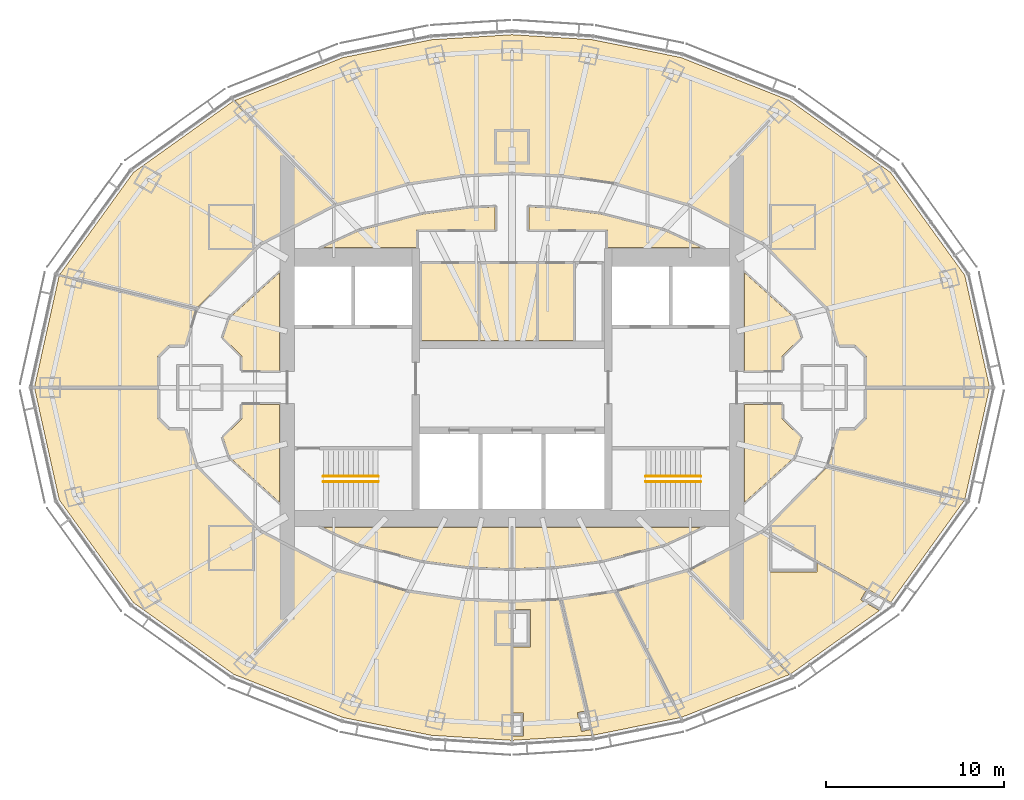
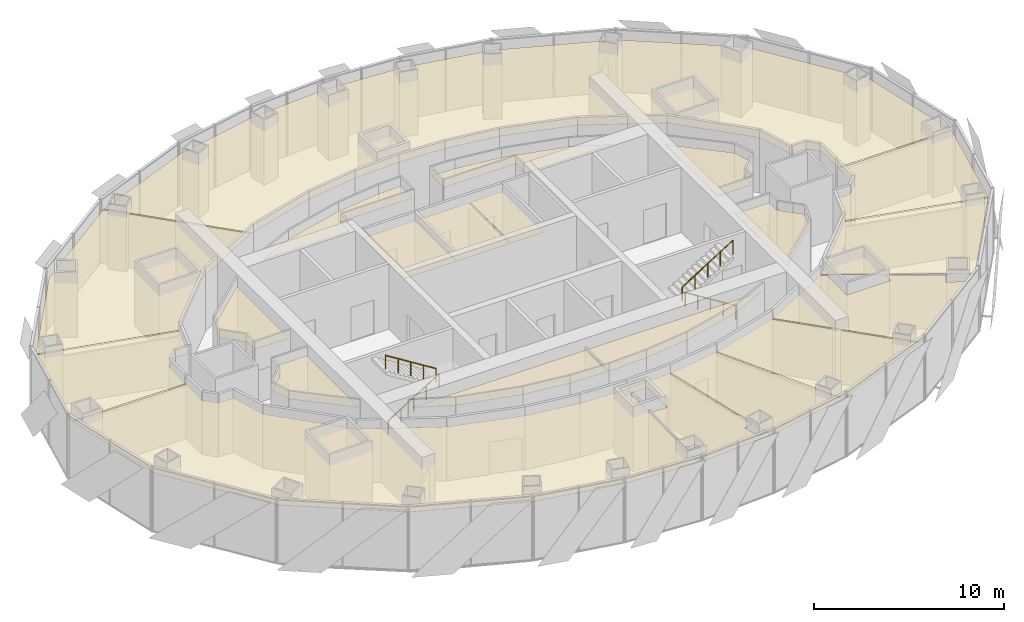
# One storey, part 17 of 17: 21 coverings, 4 railings.
"""IFC4 building model written with IfcOpenShell, lengths in metres."""

from ifc_helpers import new_model, si_unit, direction, frame, origin, origin_2d, place, context, subcontext, project, spatial, polyline, circle, outline, extrude, material, layer, layer_set, type_object, element, save


model = new_model("IFC4")

# Units and contexts
model_context = context("Model", 3, precision=1e-05, world=origin(), true_north=direction((0.0, 1.0)))
body_context = subcontext(model_context, "Body", "Model", "MODEL_VIEW")
ifc_project = project(units=[si_unit("LENGTHUNIT", "METRE"), si_unit("AREAUNIT", "SQUARE_METRE"), si_unit("VOLUMEUNIT", "CUBIC_METRE"), si_unit("PLANEANGLEUNIT", "RADIAN"), si_unit("MASSUNIT", "GRAM", prefix="KILO")], contexts=[model_context])

# Site, building, storey
site_placement = place(None, origin())
site = spatial("IfcSite", under=ifc_project, at=site_placement, CompositionType="ELEMENT")
building_placement = place(site_placement, origin())
building = spatial("IfcBuilding", under=site, at=building_placement, Name="Lantaw Convention Tower", CompositionType="ELEMENT")
storey_placement = place(building_placement, frame((0.0, 0.0, 224.199951171875)))
storey = spatial("IfcBuildingStorey", under=building, at=storey_placement, Name="L52", CompositionType="ELEMENT", Elevation=224.199951171875)

# Railings
ifc_material_1 = material(Name="Stainless steel", Category="steel")
railing_type = type_object("IfcRailingType", Name="Stair handrail", PredefinedType="HANDRAIL", material=ifc_material_1)
railing_1_placement = place(storey_placement, frame((-10.580078125, -5.280029296875, 0.175048828125)))
element("IfcRailing", 1, at=railing_1_placement, inside=storey, type_object=railing_type, Name="Stair handrail S1", PredefinedType="HANDRAIL", context=body_context, shape_type="SweptSolid", body=[
    extrude(circle(Radius=0.02392578125, at=origin_2d()), frame((0.0, 0.0, 0.8759765625), z_axis=(0.847998304005, 0.0, 0.529998940003), x_axis=(0.0, 1.0, 0.0)), (0.0, 0.0, 1.0), 3.632080078125),
    extrude(circle(Radius=0.02099609375, at=origin_2d()), origin(), (0.0, 0.0, 1.0), 0.851806640625),
    extrude(circle(Radius=0.02099609375, at=origin_2d()), frame((0.77001953125, 0.0, 0.481201171875)), (0.0, 0.0, 1.0), 0.851806640625),
    extrude(circle(Radius=0.02099609375, at=origin_2d()), frame((1.5400390625, 0.0, 0.96240234375)), (0.0, 0.0, 1.0), 0.851806640625),
    extrude(circle(Radius=0.02099609375, at=origin_2d()), frame((2.31005859375, 0.0, 1.44384765625)), (0.0, 0.0, 1.0), 0.851806640625),
    extrude(circle(Radius=0.02099609375, at=origin_2d()), frame((3.080078125, 0.0, 1.925048828125)), (0.0, 0.0, 1.0), 0.851806640625),
])
railing_2_placement = place(storey_placement, frame((-7.5, -4.97998046875, 2.275146484375)))
element("IfcRailing", 2, at=railing_2_placement, inside=storey, type_object=railing_type, Name="Stair handrail S1", PredefinedType="HANDRAIL", context=body_context, shape_type="SweptSolid", body=[
    extrude(circle(Radius=0.02392578125, at=origin_2d()), frame((0.0, 0.0, 0.8759765625), z_axis=(-0.848028513186, 0.0, 0.529950602248), x_axis=(0.0, -1.0, 0.0)), (0.0, 0.0, 1.0), 3.632080078125),
    extrude(circle(Radius=0.02099609375, at=origin_2d()), origin(), (0.0, 0.0, 1.0), 0.851806640625),
    extrude(circle(Radius=0.02099609375, at=origin_2d()), frame((-0.77001953125, 0.0, 0.481201171875)), (0.0, 0.0, 1.0), 0.851806640625),
    extrude(circle(Radius=0.02099609375, at=origin_2d()), frame((-1.5400390625, 0.0, 0.96240234375)), (0.0, 0.0, 1.0), 0.851806640625),
    extrude(circle(Radius=0.02099609375, at=origin_2d()), frame((-2.31005859375, 0.0, 1.443603515625)), (0.0, 0.0, 1.0), 0.851806640625),
    extrude(circle(Radius=0.02099609375, at=origin_2d()), frame((-3.080078125, 0.0, 1.9248046875)), (0.0, 0.0, 1.0), 0.851806640625),
])
railing_3_placement = place(storey_placement, frame((10.580078125, -5.280029296875, 0.175048828125)))
element("IfcRailing", 3, at=railing_3_placement, inside=storey, type_object=railing_type, Name="Stair handrail S2", PredefinedType="HANDRAIL", context=body_context, shape_type="SweptSolid", body=[
    extrude(circle(Radius=0.02392578125, at=origin_2d()), frame((0.0, 0.0, 0.8759765625), z_axis=(-0.847998304005, 0.0, 0.529998940003), x_axis=(0.0, -1.0, 0.0)), (0.0, 0.0, 1.0), 3.632080078125),
    extrude(circle(Radius=0.02099609375, at=origin_2d()), origin(), (0.0, 0.0, 1.0), 0.851806640625),
    extrude(circle(Radius=0.02099609375, at=origin_2d()), frame((-0.77001953125, 0.0, 0.481201171875)), (0.0, 0.0, 1.0), 0.851806640625),
    extrude(circle(Radius=0.02099609375, at=origin_2d()), frame((-1.5400390625, 0.0, 0.96240234375)), (0.0, 0.0, 1.0), 0.851806640625),
    extrude(circle(Radius=0.02099609375, at=origin_2d()), frame((-2.31005859375, 0.0, 1.44384765625)), (0.0, 0.0, 1.0), 0.851806640625),
    extrude(circle(Radius=0.02099609375, at=origin_2d()), frame((-3.080078125, 0.0, 1.925048828125)), (0.0, 0.0, 1.0), 0.851806640625),
])
railing_4_placement = place(storey_placement, frame((7.5, -4.97998046875, 2.275146484375)))
element("IfcRailing", 4, at=railing_4_placement, inside=storey, type_object=railing_type, Name="Stair handrail S2", PredefinedType="HANDRAIL", context=body_context, shape_type="SweptSolid", body=[
    extrude(circle(Radius=0.02392578125, at=origin_2d()), frame((0.0, 0.0, 0.8759765625), z_axis=(0.848028513186, 0.0, 0.529950602248), x_axis=(0.0, 1.0, 0.0)), (0.0, 0.0, 1.0), 3.632080078125),
    extrude(circle(Radius=0.02099609375, at=origin_2d()), origin(), (0.0, 0.0, 1.0), 0.851806640625),
    extrude(circle(Radius=0.02099609375, at=origin_2d()), frame((0.77001953125, 0.0, 0.481201171875)), (0.0, 0.0, 1.0), 0.851806640625),
    extrude(circle(Radius=0.02099609375, at=origin_2d()), frame((1.5400390625, 0.0, 0.96240234375)), (0.0, 0.0, 1.0), 0.851806640625),
    extrude(circle(Radius=0.02099609375, at=origin_2d()), frame((2.31005859375, 0.0, 1.443603515625)), (0.0, 0.0, 1.0), 0.851806640625),
    extrude(circle(Radius=0.02099609375, at=origin_2d()), frame((3.080078125, 0.0, 1.9248046875)), (0.0, 0.0, 1.0), 0.851806640625),
])

# Coverings
ifc_material_2 = material(Name="Gypsum board on steel suspension grid", Category="steel")
ifc_layer = layer(ifc_material_2, 0.02001953125)
ifc_layer_set = layer_set([ifc_layer], Name="Suspended ceiling")
covering_type = type_object("IfcCoveringType", Name="Suspended ceiling", PredefinedType="CEILING", material=ifc_layer_set)
covering_1_placement = place(storey_placement, frame((0.0, 0.0, 3.449951171875)))
element("IfcCovering", 5, at=covering_1_placement, inside=storey, type_object=covering_type, Name="Female WC ceiling", PredefinedType="CEILING", context=body_context, shape_type="SweptSolid", body=[
    extrude(outline(polyline([(-5.080078125, 2.639892578125), (-1.88330078125, 2.639892578125), (-1.88330078125, 6.9599609375), (-5.080078125, 6.9599609375), (-5.080078125, 2.639892578125)])), origin(), (0.0, 0.0, 1.0), 0.02001953125),
])
covering_2_placement = place(storey_placement, frame((0.0, 0.0, 3.449951171875)))
element("IfcCovering", 6, at=covering_2_placement, inside=storey, type_object=covering_type, Name="Male WC ceiling", PredefinedType="CEILING", context=body_context, shape_type="SweptSolid", body=[
    extrude(outline(polyline([(-1.80322265625, 2.639892578125), (1.3935546875, 2.639892578125), (1.3935546875, 6.9599609375), (-1.80322265625, 6.9599609375), (-1.80322265625, 2.639892578125)])), origin(), (0.0, 0.0, 1.0), 0.02001953125),
])
covering_3_placement = place(storey_placement, frame((0.0, 0.0, 3.449951171875)))
element("IfcCovering", 7, at=covering_3_placement, inside=storey, type_object=covering_type, Name="Accessible WC ceiling", PredefinedType="CEILING", context=body_context, shape_type="SweptSolid", body=[
    extrude(outline(polyline([(1.4736328125, 2.639892578125), (3.441650390625, 2.639892578125), (3.441650390625, 6.9599609375), (1.4736328125, 6.9599609375), (1.4736328125, 2.639892578125)])), origin(), (0.0, 0.0, 1.0), 0.02001953125),
])
covering_4_placement = place(storey_placement, frame((0.0, 0.0, 3.449951171875)))
element("IfcCovering", 8, at=covering_4_placement, inside=storey, type_object=covering_type, Name="Meeting room ceiling", PredefinedType="CEILING", context=body_context, shape_type="SweptSolid", body=[
    extrude(outline(polyline([(-16.20556640625, -2.80029296875), (-15.821044921875, -3.930419921875), (-13.0400390625, -6.4345703125), (-13.0400390625, -0.93994140625), (-15.135009765625, -0.93994140625), (-15.135009765625, -1.7412109375), (-15.7587890625, -2.364990234375), (-15.77099609375, -2.364990234375), (-16.20556640625, -2.80029296875)])), origin(), (0.0, 0.0, 1.0), 0.02001953125),
])
covering_5_placement = place(storey_placement, frame((0.0, 0.0, 3.449951171875)))
element("IfcCovering", 9, at=covering_5_placement, inside=storey, type_object=covering_type, Name="Project room ceiling", PredefinedType="CEILING", context=body_context, shape_type="SweptSolid", body=[
    extrude(outline(polyline([(-2.32958984375, -10.06591796875), (-0.0400390625, -10.158447265625), (-0.0400390625, -7.840087890625), (-10.640380859375, -7.840087890625), (-8.5341796875, -8.8134765625), (-4.967529296875, -9.724609375), (-2.32958984375, -10.06591796875)])), origin(), (0.0, 0.0, 1.0), 0.02001953125),
])
covering_6_placement = place(storey_placement, frame((0.0, 0.0, 3.449951171875)))
element("IfcCovering", 10, at=covering_6_placement, inside=storey, type_object=covering_type, Name="Tenant storage room ceiling", PredefinedType="CEILING", context=body_context, shape_type="SweptSolid", body=[
    extrude(outline(polyline([(8.5341796875, -8.8134765625), (10.640380859375, -7.840087890625), (0.0400390625, -7.840087890625), (0.0400390625, -10.158447265625), (2.32958984375, -10.06591796875), (4.967529296875, -9.724609375), (8.5341796875, -8.8134765625)])), origin(), (0.0, 0.0, 1.0), 0.02001953125),
])
covering_7_placement = place(storey_placement, frame((0.0, 0.0, 3.449951171875)))
element("IfcCovering", 11, at=covering_7_placement, inside=storey, type_object=covering_type, Name="Meeting room ceiling", PredefinedType="CEILING", context=body_context, shape_type="SweptSolid", body=[
    extrude(outline(polyline([(15.135009765625, -1.7412109375), (15.135009765625, -0.93994140625), (13.0400390625, -0.93994140625), (13.0400390625, -6.4345703125), (15.821044921875, -3.930419921875), (16.20556640625, -2.80029296875), (15.77099609375, -2.364990234375), (15.7587890625, -2.364990234375), (15.135009765625, -1.7412109375)])), origin(), (0.0, 0.0, 1.0), 0.02001953125),
])
covering_8_placement = place(storey_placement, frame((0.0, 0.0, 3.449951171875)))
element("IfcCovering", 12, at=covering_8_placement, inside=storey, type_object=covering_type, Name="Copy and print room ceiling", PredefinedType="CEILING", context=body_context, shape_type="SweptSolid", body=[
    extrude(outline(polyline([(15.77099609375, 2.364990234375), (16.20556640625, 2.80029296875), (15.821044921875, 3.930419921875), (13.0400390625, 6.4345703125), (13.0400390625, 0.93994140625), (15.135009765625, 0.93994140625), (15.135009765625, 1.7412109375), (15.7587890625, 2.364990234375), (15.77099609375, 2.364990234375)])), origin(), (0.0, 0.0, 1.0), 0.02001953125),
])
covering_9_placement = place(storey_placement, frame((0.0, 0.0, 3.449951171875)))
element("IfcCovering", 13, at=covering_9_placement, inside=storey, type_object=covering_type, Name="Project room ceiling", PredefinedType="CEILING", context=body_context, shape_type="SweptSolid", body=[
    extrude(outline(polyline([(5.360107421875, 7.840087890625), (10.640380859375, 7.840087890625), (8.5341796875, 8.8134765625), (4.967529296875, 9.724609375), (2.32958984375, 10.06591796875), (0.93994140625, 10.1220703125), (0.93994140625, 8.840087890625), (5.360107421875, 8.840087890625), (5.360107421875, 7.840087890625)])), origin(), (0.0, 0.0, 1.0), 0.02001953125),
])
covering_10_placement = place(storey_placement, frame((0.0, 0.0, 3.449951171875)))
element("IfcCovering", 14, at=covering_10_placement, inside=storey, type_object=covering_type, Name="Meeting room ceiling", PredefinedType="CEILING", context=body_context, shape_type="SweptSolid", body=[
    extrude(outline(polyline([(-10.640380859375, 7.840087890625), (-5.360107421875, 7.840087890625), (-5.360107421875, 8.840087890625), (-0.93994140625, 8.840087890625), (-0.93994140625, 10.1220703125), (-2.32958984375, 10.06591796875), (-4.967529296875, 9.724609375), (-8.5341796875, 8.8134765625), (-10.640380859375, 7.840087890625)])), origin(), (0.0, 0.0, 1.0), 0.02001953125),
])
covering_11_placement = place(storey_placement, frame((0.0, 0.0, 3.449951171875)))
element("IfcCovering", 15, at=covering_11_placement, inside=storey, type_object=covering_type, Name="Comms room ceiling", PredefinedType="CEILING", context=body_context, shape_type="SweptSolid", body=[
    extrude(outline(polyline([(-15.77099609375, 2.364990234375), (-15.7587890625, 2.364990234375), (-15.135009765625, 1.7412109375), (-15.135009765625, 0.93994140625), (-13.0400390625, 0.93994140625), (-13.0400390625, 6.4345703125), (-15.821044921875, 3.930419921875), (-16.20556640625, 2.80029296875), (-15.77099609375, 2.364990234375)])), origin(), (0.0, 0.0, 1.0), 0.02001953125),
])
covering_12_placement = place(storey_placement, frame((0.0, 0.0, 3.449951171875)))
element("IfcCovering", 16, at=covering_12_placement, inside=storey, type_object=covering_type, Name="Open office ceiling", PredefinedType="CEILING", context=body_context, shape_type="SweptSolid", body=[
    extrude(outline(polyline([(17.708251953125, 4.42724609375), (18.329345703125, 2.364990234375), (19.2412109375, 2.364990234375), (19.864990234375, 1.7412109375), (19.864990234375, 0.0400390625), (26.77099609375, 0.0400390625), (25.388916015625, 6.290283203125), (21.224365234375, 12.061767578125), (15.60498046875, 16.076416015625), (9.472900390625, 18.504638671875), (4.523193359375, 19.500244140625), (0.0, 19.78466796875), (-4.523193359375, 19.500244140625), (-9.472900390625, 18.504638671875), (-15.5537109375, 16.0966796875), (-9.88134765625, 10.2900390625), (-5.828857421875, 11.462158203125), (-2.745361328125, 11.914306640625), (0.0, 12.0400390625), (2.745361328125, 11.914306640625), (5.828857421875, 11.462158203125), (9.908203125, 10.2822265625), (14.11328125, 8.08349609375), (17.708251953125, 4.42724609375)])), origin(), (0.0, 0.0, 1.0), 0.02001953125),
])
covering_13_placement = place(storey_placement, frame((0.0, 0.0, 3.449951171875)))
element("IfcCovering", 17, at=covering_13_placement, inside=storey, type_object=covering_type, Name="Boardroom ceiling", PredefinedType="CEILING", context=body_context, shape_type="SweptSolid", body=[
    extrude(outline(polyline([(-9.95947265625, 10.25537109375), (-15.62890625, 16.059326171875), (-21.224365234375, 12.061767578125), (-25.359130859375, 6.331787109375), (-17.685302734375, 4.45068359375), (-14.11328125, 8.08349609375), (-9.95947265625, 10.25537109375)])), origin(), (0.0, 0.0, 1.0), 0.02001953125),
])
covering_14_placement = place(storey_placement, frame((0.0, 0.0, 3.449951171875)))
element("IfcCovering", 18, at=covering_14_placement, inside=storey, type_object=covering_type, Name="Pantry ceiling", PredefinedType="CEILING", context=body_context, shape_type="SweptSolid", body=[
    extrude(outline(polyline([(-18.329345703125, 2.364990234375), (-17.72314453125, 4.37744140625), (-25.39599609375, 6.258544921875), (-26.77099609375, 0.0400390625), (-19.864990234375, 0.0400390625), (-19.864990234375, 1.7412109375), (-19.2412109375, 2.364990234375), (-18.329345703125, 2.364990234375)])), origin(), (0.0, 0.0, 1.0), 0.02001953125),
])
covering_15_placement = place(storey_placement, frame((0.0, 0.0, 3.449951171875)))
element("IfcCovering", 19, at=covering_15_placement, inside=storey, type_object=covering_type, Name="Open office ceiling", PredefinedType="CEILING", context=body_context, shape_type="SweptSolid", body=[
    extrude(outline(polyline([(-17.708251953125, -4.42724609375), (-18.329345703125, -2.364990234375), (-19.2412109375, -2.364990234375), (-19.864990234375, -1.7412109375), (-19.864990234375, -0.0400390625), (-26.77099609375, -0.0400390625), (-25.388916015625, -6.290283203125), (-21.224365234375, -12.061767578125), (-15.60498046875, -16.076416015625), (-9.472900390625, -18.504638671875), (-4.523193359375, -19.500244140625), (-0.0400390625, -19.781982421875), (-0.0400390625, -12.038330078125), (-2.745361328125, -11.914306640625), (-5.828857421875, -11.462158203125), (-9.908203125, -10.2822265625), (-14.11328125, -8.08349609375), (-17.708251953125, -4.42724609375)])), origin(), (0.0, 0.0, 1.0), 0.02001953125),
])
covering_16_placement = place(storey_placement, frame((0.0, 0.0, 3.449951171875)))
element("IfcCovering", 20, at=covering_16_placement, inside=storey, type_object=covering_type, Name="Meeting room ceiling", PredefinedType="CEILING", context=body_context, shape_type="SweptSolid", body=[
    extrude(outline(polyline([(2.7099609375, -11.916015625), (0.0400390625, -12.038330078125), (0.0400390625, -12.4599609375), (1.0400390625, -12.4599609375), (1.0400390625, -14.5400390625), (0.0400390625, -14.5400390625), (0.0400390625, -18.260009765625), (0.639892578125, -18.260009765625), (0.639892578125, -19.5400390625), (0.0400390625, -19.5400390625), (0.0400390625, -19.781982421875), (4.478759765625, -19.5029296875), (4.40185546875, -19.173583984375), (3.899169921875, -19.28955078125), (3.65625, -18.2373046875), (4.15673828125, -18.121826171875), (2.7099609375, -11.916015625)])), origin(), (0.0, 0.0, 1.0), 0.02001953125),
])
covering_17_placement = place(storey_placement, frame((0.0, 0.0, 3.449951171875)))
element("IfcCovering", 21, at=covering_17_placement, inside=storey, type_object=covering_type, Name="Meeting room ceiling", PredefinedType="CEILING", context=body_context, shape_type="SweptSolid", body=[
    extrude(outline(polyline([(2.790283203125, -11.90771484375), (4.55859375, -19.492919921875), (9.42431640625, -18.514404296875), (5.7978515625, -11.466796875), (2.790283203125, -11.90771484375)])), origin(), (0.0, 0.0, 1.0), 0.02001953125),
])
covering_18_placement = place(storey_placement, frame((0.0, 0.0, 3.449951171875)))
element("IfcCovering", 22, at=covering_18_placement, inside=storey, type_object=covering_type, Name="Quiet room ceiling", PredefinedType="CEILING", context=body_context, shape_type="SweptSolid", body=[
    extrude(outline(polyline([(5.878173828125, -11.447998046875), (9.503173828125, -18.49267578125), (15.5537109375, -16.0966796875), (9.88134765625, -10.2900390625), (5.878173828125, -11.447998046875)])), origin(), (0.0, 0.0, 1.0), 0.02001953125),
])
covering_19_placement = place(storey_placement, frame((0.0, 0.0, 3.449951171875)))
element("IfcCovering", 23, at=covering_19_placement, inside=storey, type_object=covering_type, Name="Nap room ceiling", PredefinedType="CEILING", context=body_context, shape_type="SweptSolid", body=[
    extrude(outline(polyline([(14.08837890625, -8.096435546875), (9.95947265625, -10.25537109375), (15.62890625, -16.059326171875), (20.599365234375, -12.50830078125), (19.5498046875, -11.908447265625), (19.866455078125, -11.3544921875), (17.090087890625, -9.788818359375), (17.090087890625, -10.340087890625), (14.409912109375, -10.340087890625), (14.409912109375, -8.27783203125), (14.08837890625, -8.096435546875)])), origin(), (0.0, 0.0, 1.0), 0.02001953125),
])
covering_20_placement = place(storey_placement, frame((0.0, 0.0, 3.449951171875)))
element("IfcCovering", 24, at=covering_20_placement, inside=storey, type_object=covering_type, Name="Wellness room ceiling", PredefinedType="CEILING", context=body_context, shape_type="SweptSolid", body=[
    extrude(outline(polyline([(14.154296875, -8.041748046875), (21.241455078125, -12.0380859375), (25.359130859375, -6.331787109375), (17.685302734375, -4.45068359375), (14.154296875, -8.041748046875)])), origin(), (0.0, 0.0, 1.0), 0.02001953125),
])
covering_21_placement = place(storey_placement, frame((0.0, 0.0, 3.449951171875)))
element("IfcCovering", 25, at=covering_21_placement, inside=storey, type_object=covering_type, Name="Pantry ceiling", PredefinedType="CEILING", context=body_context, shape_type="SweptSolid", body=[
    extrude(outline(polyline([(18.329345703125, -2.364990234375), (17.72314453125, -4.37744140625), (25.39599609375, -6.258544921875), (26.77099609375, -0.0400390625), (19.864990234375, -0.0400390625), (19.864990234375, -1.7412109375), (19.2412109375, -2.364990234375), (18.329345703125, -2.364990234375)])), origin(), (0.0, 0.0, 1.0), 0.02001953125),
])

save(model, "model.ifc")
